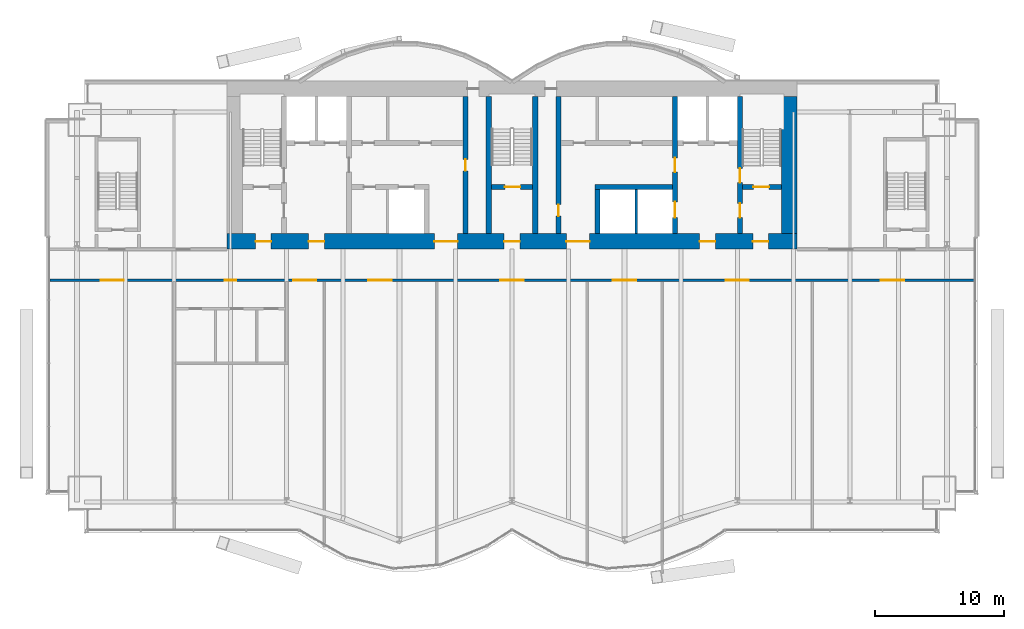
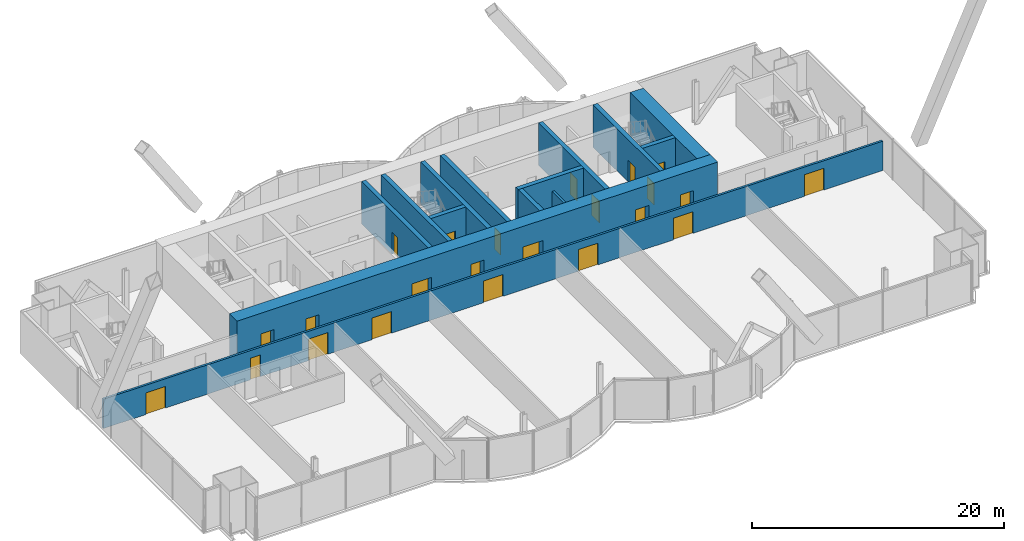
# One storey, part 19 of 24: 23 doors, 14 walls, 23 openings.
"""IFC4 building model written with IfcOpenShell, lengths in metres."""

from ifc_helpers import new_model, si_unit, direction, frame, frame_2d, origin, place, context, subcontext, project, spatial, rectangle, extrude, material, layer, layer_set, type_object, element, fill, save


model = new_model("IFC4")

# Units and contexts
model_context = context("Model", 3, precision=1e-05, world=origin(), true_north=direction((0.0, 1.0)))
body_context = subcontext(model_context, "Body", "Model", "MODEL_VIEW")
ifc_project = project(units=[si_unit("LENGTHUNIT", "METRE"), si_unit("AREAUNIT", "SQUARE_METRE"), si_unit("VOLUMEUNIT", "CUBIC_METRE"), si_unit("PLANEANGLEUNIT", "RADIAN"), si_unit("MASSUNIT", "GRAM", prefix="KILO")], contexts=[model_context])

# Site, building, storey
site_placement = place(None, origin())
site = spatial("IfcSite", under=ifc_project, at=site_placement, CompositionType="ELEMENT")
building_placement = place(site_placement, origin())
building = spatial("IfcBuilding", under=site, at=building_placement, Name="Bicima Exchange Tower", CompositionType="ELEMENT")
storey_placement = place(building_placement, frame((0.0, 0.0, 160.89990234375)))
storey = spatial("IfcBuildingStorey", under=building, at=storey_placement, Name="L35", CompositionType="ELEMENT", Elevation=160.89990234375)

# Wall
ifc_material_1 = material(Name="Gypsum board partition")
ifc_layer_1 = layer(ifc_material_1, 0.199951171875)
ifc_layer_set_1 = layer_set([ifc_layer_1], Name="Gypsum board partition")
wall_type_1 = type_object("IfcWallType", Name="Fire-rated gypsum partition 200 EI120", PredefinedType="PARTITIONING", material=ifc_layer_set_1)
wall_1_placement = place(storey_placement, frame((9.60009765625, -11.800048828125, 0.0), z_axis=(0.0, 0.0, 1.0), x_axis=(0.0, 1.0, 0.0)))
element("IfcWall", 1, at=wall_1_placement, inside=storey, type_object=wall_type_1, Name="partition wall 20", PredefinedType="PARTITIONING", context=body_context, shape_type="SweptSolid", body=[
    extrude(rectangle(XDim=3.400146484375, YDim=0.199951171875, at=frame_2d((1.7001953125, 0.0))), origin(), (0.0, 0.0, 1.0), 2.840576171875),
])

# Wall, openings, doors
ifc_layer_2 = layer(ifc_material_1, 0.199951171875)
ifc_layer_set_2 = layer_set([ifc_layer_2], Name="Gypsum board partition")
wall_type_2 = type_object("IfcWallType", Name="Fire-rated gypsum partition 200 EI60", PredefinedType="PARTITIONING", material=ifc_layer_set_2)
wall_2_placement = place(storey_placement, frame((-35.679931640625, -15.39990234375, 0.0), z_axis=(0.0, 0.0, 1.0), x_axis=(1.0, 0.0, 0.0)))
wall_2 = element("IfcWall", 2, at=wall_2_placement, inside=storey, type_object=wall_type_2, Name="partition wall 3", PredefinedType="PARTITIONING", context=body_context, shape_type="SweptSolid", body=[
    extrude(rectangle(XDim=71.35986328125, YDim=0.199951171875, at=frame_2d((35.679931640625, 0.0))), origin(), (0.0, 0.0, 1.0), 2.840576171875),
])
opening_1_placement = place(wall_2_placement, frame((3.89990234375, 0.0, 0.0)))
opening_1 = element("IfcOpeningElement", 3, at=opening_1_placement, cuts=wall_2, Name="Opening L35-007", PredefinedType="OPENING", context=body_context, shape_type="SweptSolid", body=[
    extrude(rectangle(XDim=1.800048828125, YDim=2.10009765625, at=frame_2d((0.89990234375, 1.050048828125))), frame((0.0, 0.11181640625, 0.0), z_axis=(0.0, -1.0, 0.0), x_axis=(1.0, 0.0, 0.0)), (0.0, 0.0, 1.0), 0.223876953125),
])
opening_2_placement = place(wall_2_placement, frame((13.47998046875, 0.0, 0.0)))
opening_2 = element("IfcOpeningElement", 4, at=opening_2_placement, cuts=wall_2, Name="Opening L35-008", PredefinedType="OPENING", context=body_context, shape_type="SweptSolid", body=[
    extrude(rectangle(XDim=0.89990234375, YDim=2.10009765625, at=frame_2d((0.449951171875, 1.050048828125))), frame((0.0, 0.11181640625, 0.0), z_axis=(0.0, -1.0, 0.0), x_axis=(1.0, 0.0, 0.0)), (0.0, 0.0, 1.0), 0.223876953125),
])
opening_3_placement = place(wall_2_placement, frame((18.780029296875, 0.0, 0.0)))
opening_3 = element("IfcOpeningElement", 5, at=opening_3_placement, cuts=wall_2, Name="Opening L35-012", PredefinedType="OPENING", context=body_context, shape_type="SweptSolid", body=[
    extrude(rectangle(XDim=1.800048828125, YDim=2.10009765625, at=frame_2d((0.89990234375, 1.050048828125))), frame((0.0, 0.11181640625, 0.0), z_axis=(0.0, -1.0, 0.0), x_axis=(1.0, 0.0, 0.0)), (0.0, 0.0, 1.0), 0.223876953125),
])
opening_4_placement = place(wall_2_placement, frame((24.580078125, 0.0, 0.0)))
opening_4 = element("IfcOpeningElement", 6, at=opening_4_placement, cuts=wall_2, Name="Opening L35-013", PredefinedType="OPENING", context=body_context, shape_type="SweptSolid", body=[
    extrude(rectangle(XDim=1.800048828125, YDim=2.10009765625, at=frame_2d((0.89990234375, 1.050048828125))), frame((0.0, 0.11181640625, 0.0), z_axis=(0.0, -1.0, 0.0), x_axis=(1.0, 0.0, 0.0)), (0.0, 0.0, 1.0), 0.223876953125),
])
opening_5_placement = place(wall_2_placement, frame((34.780029296875, 0.0, 0.0)))
opening_5 = element("IfcOpeningElement", 7, at=opening_5_placement, cuts=wall_2, Name="Opening L35-014", PredefinedType="OPENING", context=body_context, shape_type="SweptSolid", body=[
    extrude(rectangle(XDim=1.800048828125, YDim=2.10009765625, at=frame_2d((0.89990234375, 1.050048828125))), frame((0.0, 0.11181640625, 0.0), z_axis=(0.0, -1.0, 0.0), x_axis=(1.0, 0.0, 0.0)), (0.0, 0.0, 1.0), 0.223876953125),
])
opening_6_placement = place(wall_2_placement, frame((43.47998046875, 0.0, 0.0)))
opening_6 = element("IfcOpeningElement", 8, at=opening_6_placement, cuts=wall_2, Name="Opening L35-015", PredefinedType="OPENING", context=body_context, shape_type="SweptSolid", body=[
    extrude(rectangle(XDim=1.800048828125, YDim=2.10009765625, at=frame_2d((0.89990234375, 1.050048828125))), frame((0.0, 0.11181640625, 0.0), z_axis=(0.0, -1.0, 0.0), x_axis=(1.0, 0.0, 0.0)), (0.0, 0.0, 1.0), 0.223876953125),
])
opening_7_placement = place(wall_2_placement, frame((52.179931640625, 0.0, 0.0)))
opening_7 = element("IfcOpeningElement", 9, at=opening_7_placement, cuts=wall_2, Name="Opening L35-016", PredefinedType="OPENING", context=body_context, shape_type="SweptSolid", body=[
    extrude(rectangle(XDim=1.800048828125, YDim=2.10009765625, at=frame_2d((0.89990234375, 1.050048828125))), frame((0.0, 0.11181640625, 0.0), z_axis=(0.0, -1.0, 0.0), x_axis=(1.0, 0.0, 0.0)), (0.0, 0.0, 1.0), 0.223876953125),
])
opening_8_placement = place(wall_2_placement, frame((64.179931640625, 0.0, 0.0)))
opening_8 = element("IfcOpeningElement", 10, at=opening_8_placement, cuts=wall_2, Name="Opening L35-017", PredefinedType="OPENING", context=body_context, shape_type="SweptSolid", body=[
    extrude(rectangle(XDim=1.800048828125, YDim=2.10009765625, at=frame_2d((0.89990234375, 1.050048828125))), frame((0.0, 0.11181640625, 0.0), z_axis=(0.0, -1.0, 0.0), x_axis=(1.0, 0.0, 0.0)), (0.0, 0.0, 1.0), 0.223876953125),
])
ifc_material_2 = material(Name="Steel fire door leaf", Category="steel")
door_type_1 = type_object("IfcDoorType", Name="Door 1800 double swing FD30S", OperationType="DOUBLE_DOOR_SINGLE_SWING", PredefinedType="DOOR", material=ifc_material_2)
door_1_placement = place(opening_1_placement, origin())
door_1 = element("IfcDoor", 11, at=door_1_placement, inside=storey, type_object=door_type_1, Name="Door", OperationType="SINGLE_SWING_LEFT", OverallHeight=2.10009765625, OverallWidth=1.800048828125, PredefinedType="DOOR", context=body_context, shape_type="SweptSolid", body=[
    extrude(rectangle(XDim=1.800048828125, YDim=2.10009765625, at=frame_2d((0.89990234375, 1.050048828125))), frame((0.0, 0.02490234375, 0.0), z_axis=(0.0, -1.0, 0.0), x_axis=(1.0, 0.0, 0.0)), (0.0, 0.0, 1.0), 0.050048828125),
])
fill(opening_1, door_1)
door_2_placement = place(opening_3_placement, origin())
door_2 = element("IfcDoor", 12, at=door_2_placement, inside=storey, type_object=door_type_1, Name="Door", OperationType="SINGLE_SWING_LEFT", OverallHeight=2.10009765625, OverallWidth=1.800048828125, PredefinedType="DOOR", context=body_context, shape_type="SweptSolid", body=[
    extrude(rectangle(XDim=1.800048828125, YDim=2.10009765625, at=frame_2d((0.89990234375, 1.050048828125))), frame((0.0, 0.02490234375, 0.0), z_axis=(0.0, -1.0, 0.0), x_axis=(1.0, 0.0, 0.0)), (0.0, 0.0, 1.0), 0.050048828125),
])
fill(opening_3, door_2)
door_3_placement = place(opening_4_placement, origin())
door_3 = element("IfcDoor", 13, at=door_3_placement, inside=storey, type_object=door_type_1, Name="Door", OperationType="SINGLE_SWING_LEFT", OverallHeight=2.10009765625, OverallWidth=1.800048828125, PredefinedType="DOOR", context=body_context, shape_type="SweptSolid", body=[
    extrude(rectangle(XDim=1.800048828125, YDim=2.10009765625, at=frame_2d((0.89990234375, 1.050048828125))), frame((0.0, 0.02490234375, 0.0), z_axis=(0.0, -1.0, 0.0), x_axis=(1.0, 0.0, 0.0)), (0.0, 0.0, 1.0), 0.050048828125),
])
fill(opening_4, door_3)
door_4_placement = place(opening_5_placement, origin())
door_4 = element("IfcDoor", 14, at=door_4_placement, inside=storey, type_object=door_type_1, Name="Door", OperationType="SINGLE_SWING_LEFT", OverallHeight=2.10009765625, OverallWidth=1.800048828125, PredefinedType="DOOR", context=body_context, shape_type="SweptSolid", body=[
    extrude(rectangle(XDim=1.800048828125, YDim=2.10009765625, at=frame_2d((0.89990234375, 1.050048828125))), frame((0.0, 0.02490234375, 0.0), z_axis=(0.0, -1.0, 0.0), x_axis=(1.0, 0.0, 0.0)), (0.0, 0.0, 1.0), 0.050048828125),
])
fill(opening_5, door_4)
door_5_placement = place(opening_6_placement, origin())
door_5 = element("IfcDoor", 15, at=door_5_placement, inside=storey, type_object=door_type_1, Name="Door", OperationType="SINGLE_SWING_LEFT", OverallHeight=2.10009765625, OverallWidth=1.800048828125, PredefinedType="DOOR", context=body_context, shape_type="SweptSolid", body=[
    extrude(rectangle(XDim=1.800048828125, YDim=2.10009765625, at=frame_2d((0.89990234375, 1.050048828125))), frame((0.0, 0.02490234375, 0.0), z_axis=(0.0, -1.0, 0.0), x_axis=(1.0, 0.0, 0.0)), (0.0, 0.0, 1.0), 0.050048828125),
])
fill(opening_6, door_5)
door_6_placement = place(opening_7_placement, origin())
door_6 = element("IfcDoor", 16, at=door_6_placement, inside=storey, type_object=door_type_1, Name="Door", OperationType="SINGLE_SWING_LEFT", OverallHeight=2.10009765625, OverallWidth=1.800048828125, PredefinedType="DOOR", context=body_context, shape_type="SweptSolid", body=[
    extrude(rectangle(XDim=1.800048828125, YDim=2.10009765625, at=frame_2d((0.89990234375, 1.050048828125))), frame((0.0, 0.02490234375, 0.0), z_axis=(0.0, -1.0, 0.0), x_axis=(1.0, 0.0, 0.0)), (0.0, 0.0, 1.0), 0.050048828125),
])
fill(opening_7, door_6)
door_7_placement = place(opening_8_placement, origin())
door_7 = element("IfcDoor", 17, at=door_7_placement, inside=storey, type_object=door_type_1, Name="Door", OperationType="SINGLE_SWING_LEFT", OverallHeight=2.10009765625, OverallWidth=1.800048828125, PredefinedType="DOOR", context=body_context, shape_type="SweptSolid", body=[
    extrude(rectangle(XDim=1.800048828125, YDim=2.10009765625, at=frame_2d((0.89990234375, 1.050048828125))), frame((0.0, 0.02490234375, 0.0), z_axis=(0.0, -1.0, 0.0), x_axis=(1.0, 0.0, 0.0)), (0.0, 0.0, 1.0), 0.050048828125),
])
fill(opening_8, door_7)
door_type_2 = type_object("IfcDoorType", Name="Door 900 swing FD30S", OperationType="SINGLE_SWING_LEFT", PredefinedType="DOOR", material=ifc_material_2)
door_8_placement = place(opening_2_placement, frame((0.89990234375, 0.0, 0.0), z_axis=(0.0, 0.0, 1.0), x_axis=(-1.0, 0.0, 0.0)))
door_8 = element("IfcDoor", 18, at=door_8_placement, inside=storey, type_object=door_type_2, Name="Door", OperationType="SINGLE_SWING_RIGHT", OverallHeight=2.10009765625, OverallWidth=0.89990234375, PredefinedType="DOOR", context=body_context, shape_type="SweptSolid", body=[
    extrude(rectangle(XDim=0.89990234375, YDim=2.10009765625, at=frame_2d((0.449951171875, 1.050048828125))), frame((0.0, 0.02490234375, 0.0), z_axis=(0.0, -1.0, 0.0), x_axis=(1.0, 0.0, 0.0)), (0.0, 0.0, 1.0), 0.050048828125),
])
fill(opening_2, door_8)

ifc_material_3 = material(Name="Concrete C50/60", Category="concrete")
ifc_layer_3 = layer(ifc_material_3, 1.199951171875)
ifc_layer_set_3 = layer_set([ifc_layer_3], Name="Concrete C50/60")
wall_type_3 = type_object("IfcWallType", Name="RC core wall 1200 C50/60", PredefinedType="SHEAR", material=ifc_layer_set_3)
wall_3_placement = place(storey_placement, frame((-22.0, -12.39990234375, 0.0), z_axis=(0.0, 0.0, 1.0), x_axis=(1.0, 0.0, 0.0)))
wall_3 = element("IfcWall", 19, at=wall_3_placement, inside=storey, type_object=wall_type_3, Name="Core wall south", PredefinedType="SHEAR", context=body_context, shape_type="SweptSolid", body=[
    extrude(rectangle(XDim=44.0, YDim=1.199951171875, at=frame_2d((22.0, 0.0))), origin(), (0.0, 0.0, 1.0), 4.10009765625),
])
opening_9_placement = place(wall_3_placement, frame((2.199951171875, 0.0, 0.0)))
opening_9 = element("IfcOpeningElement", 20, at=opening_9_placement, cuts=wall_3, Name="Opening L35-C19", PredefinedType="OPENING", context=body_context, shape_type="SweptSolid", body=[
    extrude(rectangle(XDim=1.199951171875, YDim=2.10009765625, at=frame_2d((0.60009765625, 1.050048828125))), frame((0.0, 0.61181640625, 0.0), z_axis=(0.0, -1.0, 0.0), x_axis=(1.0, 0.0, 0.0)), (0.0, 0.0, 1.0), 1.223876953125),
])
opening_10_placement = place(wall_3_placement, frame((21.39990234375, 0.0, 0.0)))
opening_10 = element("IfcOpeningElement", 21, at=opening_10_placement, cuts=wall_3, Name="Opening L35-C20", PredefinedType="OPENING", context=body_context, shape_type="SweptSolid", body=[
    extrude(rectangle(XDim=1.199951171875, YDim=2.10009765625, at=frame_2d((0.60009765625, 1.050048828125))), frame((0.0, 0.61181640625, 0.0), z_axis=(0.0, -1.0, 0.0), x_axis=(1.0, 0.0, 0.0)), (0.0, 0.0, 1.0), 1.223876953125),
])
opening_11_placement = place(wall_3_placement, frame((40.60009765625, 0.0, 0.0)))
opening_11 = element("IfcOpeningElement", 22, at=opening_11_placement, cuts=wall_3, Name="Opening L35-C21", PredefinedType="OPENING", context=body_context, shape_type="SweptSolid", body=[
    extrude(rectangle(XDim=1.199951171875, YDim=2.10009765625, at=frame_2d((0.60009765625, 1.050048828125))), frame((0.0, 0.61181640625, 0.0), z_axis=(0.0, -1.0, 0.0), x_axis=(1.0, 0.0, 0.0)), (0.0, 0.0, 1.0), 1.223876953125),
])
opening_12_placement = place(wall_3_placement, frame((16.0, 0.0, 0.0)))
opening_12 = element("IfcOpeningElement", 23, at=opening_12_placement, cuts=wall_3, Name="Opening L35-C22", PredefinedType="OPENING", context=body_context, shape_type="SweptSolid", body=[
    extrude(rectangle(XDim=1.800048828125, YDim=2.10009765625, at=frame_2d((0.89990234375, 1.050048828125))), frame((0.0, 0.61181640625, 0.0), z_axis=(0.0, -1.0, 0.0), x_axis=(1.0, 0.0, 0.0)), (0.0, 0.0, 1.0), 1.223876953125),
])
opening_13_placement = place(wall_3_placement, frame((6.300048828125, 0.0, 0.0)))
opening_13 = element("IfcOpeningElement", 24, at=opening_13_placement, cuts=wall_3, Name="Opening L35-C23", PredefinedType="OPENING", context=body_context, shape_type="SweptSolid", body=[
    extrude(rectangle(XDim=1.199951171875, YDim=2.10009765625, at=frame_2d((0.60009765625, 1.050048828125))), frame((0.0, 0.61181640625, 0.0), z_axis=(0.0, -1.0, 0.0), x_axis=(1.0, 0.0, 0.0)), (0.0, 0.0, 1.0), 1.223876953125),
])
opening_14_placement = place(wall_3_placement, frame((26.199951171875, 0.0, 0.0)))
opening_14 = element("IfcOpeningElement", 25, at=opening_14_placement, cuts=wall_3, Name="Opening L35-C24", PredefinedType="OPENING", context=body_context, shape_type="SweptSolid", body=[
    extrude(rectangle(XDim=1.800048828125, YDim=2.10009765625, at=frame_2d((0.89990234375, 1.050048828125))), frame((0.0, 0.61181640625, 0.0), z_axis=(0.0, -1.0, 0.0), x_axis=(1.0, 0.0, 0.0)), (0.0, 0.0, 1.0), 1.223876953125),
])
opening_15_placement = place(wall_3_placement, frame((36.5, 0.0, 0.0)))
opening_15 = element("IfcOpeningElement", 26, at=opening_15_placement, cuts=wall_3, Name="Opening L35-C25", PredefinedType="OPENING", context=body_context, shape_type="SweptSolid", body=[
    extrude(rectangle(XDim=1.199951171875, YDim=2.10009765625, at=frame_2d((0.60009765625, 1.050048828125))), frame((0.0, 0.61181640625, 0.0), z_axis=(0.0, -1.0, 0.0), x_axis=(1.0, 0.0, 0.0)), (0.0, 0.0, 1.0), 1.223876953125),
])
door_type_3 = type_object("IfcDoorType", Name="Door 1200 swing FD60S", OperationType="SINGLE_SWING_LEFT", PredefinedType="DOOR", material=ifc_material_2)
door_9_placement = place(opening_9_placement, frame((1.199951171875, 0.0, 0.0), z_axis=(0.0, 0.0, 1.0), x_axis=(-1.0, 0.0, 0.0)))
door_9 = element("IfcDoor", 27, at=door_9_placement, inside=storey, type_object=door_type_3, Name="Core door", OperationType="SINGLE_SWING_RIGHT", OverallHeight=2.10009765625, OverallWidth=1.199951171875, PredefinedType="DOOR", context=body_context, shape_type="SweptSolid", body=[
    extrude(rectangle(XDim=1.199951171875, YDim=2.10009765625, at=frame_2d((0.60009765625, 1.050048828125))), frame((0.0, 0.02490234375, 0.0), z_axis=(0.0, -1.0, 0.0), x_axis=(1.0, 0.0, 0.0)), (0.0, 0.0, 1.0), 0.050048828125),
])
fill(opening_9, door_9)
door_10_placement = place(opening_10_placement, frame((1.199951171875, 0.0, 0.0), z_axis=(0.0, 0.0, 1.0), x_axis=(-1.0, 0.0, 0.0)))
door_10 = element("IfcDoor", 28, at=door_10_placement, inside=storey, type_object=door_type_3, Name="Core door", OperationType="SINGLE_SWING_RIGHT", OverallHeight=2.10009765625, OverallWidth=1.199951171875, PredefinedType="DOOR", context=body_context, shape_type="SweptSolid", body=[
    extrude(rectangle(XDim=1.199951171875, YDim=2.10009765625, at=frame_2d((0.60009765625, 1.050048828125))), frame((0.0, 0.02490234375, 0.0), z_axis=(0.0, -1.0, 0.0), x_axis=(1.0, 0.0, 0.0)), (0.0, 0.0, 1.0), 0.050048828125),
])
fill(opening_10, door_10)
door_11_placement = place(opening_11_placement, frame((1.199951171875, 0.0, 0.0), z_axis=(0.0, 0.0, 1.0), x_axis=(-1.0, 0.0, 0.0)))
door_11 = element("IfcDoor", 29, at=door_11_placement, inside=storey, type_object=door_type_3, Name="Core door", OperationType="SINGLE_SWING_RIGHT", OverallHeight=2.10009765625, OverallWidth=1.199951171875, PredefinedType="DOOR", context=body_context, shape_type="SweptSolid", body=[
    extrude(rectangle(XDim=1.199951171875, YDim=2.10009765625, at=frame_2d((0.60009765625, 1.050048828125))), frame((0.0, 0.02490234375, 0.0), z_axis=(0.0, -1.0, 0.0), x_axis=(1.0, 0.0, 0.0)), (0.0, 0.0, 1.0), 0.050048828125),
])
fill(opening_11, door_11)
door_12_placement = place(opening_13_placement, frame((1.199951171875, 0.0, 0.0), z_axis=(0.0, 0.0, 1.0), x_axis=(-1.0, 0.0, 0.0)))
door_12 = element("IfcDoor", 30, at=door_12_placement, inside=storey, type_object=door_type_3, Name="Core door", OperationType="SINGLE_SWING_RIGHT", OverallHeight=2.10009765625, OverallWidth=1.199951171875, PredefinedType="DOOR", context=body_context, shape_type="SweptSolid", body=[
    extrude(rectangle(XDim=1.199951171875, YDim=2.10009765625, at=frame_2d((0.60009765625, 1.050048828125))), frame((0.0, 0.02490234375, 0.0), z_axis=(0.0, -1.0, 0.0), x_axis=(1.0, 0.0, 0.0)), (0.0, 0.0, 1.0), 0.050048828125),
])
fill(opening_13, door_12)
door_13_placement = place(opening_15_placement, frame((1.199951171875, 0.0, 0.0), z_axis=(0.0, 0.0, 1.0), x_axis=(-1.0, 0.0, 0.0)))
door_13 = element("IfcDoor", 31, at=door_13_placement, inside=storey, type_object=door_type_3, Name="Core door", OperationType="SINGLE_SWING_RIGHT", OverallHeight=2.10009765625, OverallWidth=1.199951171875, PredefinedType="DOOR", context=body_context, shape_type="SweptSolid", body=[
    extrude(rectangle(XDim=1.199951171875, YDim=2.10009765625, at=frame_2d((0.60009765625, 1.050048828125))), frame((0.0, 0.02490234375, 0.0), z_axis=(0.0, -1.0, 0.0), x_axis=(1.0, 0.0, 0.0)), (0.0, 0.0, 1.0), 0.050048828125),
])
fill(opening_15, door_13)
door_14_placement = place(opening_12_placement, origin())
door_14 = element("IfcDoor", 32, at=door_14_placement, inside=storey, type_object=door_type_1, Name="Core door", OperationType="SINGLE_SWING_LEFT", OverallHeight=2.10009765625, OverallWidth=1.800048828125, PredefinedType="DOOR", context=body_context, shape_type="SweptSolid", body=[
    extrude(rectangle(XDim=1.800048828125, YDim=2.10009765625, at=frame_2d((0.89990234375, 1.050048828125))), frame((0.0, 0.02490234375, 0.0), z_axis=(0.0, -1.0, 0.0), x_axis=(1.0, 0.0, 0.0)), (0.0, 0.0, 1.0), 0.050048828125),
])
fill(opening_12, door_14)
door_15_placement = place(opening_14_placement, origin())
door_15 = element("IfcDoor", 33, at=door_15_placement, inside=storey, type_object=door_type_1, Name="Core door", OperationType="SINGLE_SWING_LEFT", OverallHeight=2.10009765625, OverallWidth=1.800048828125, PredefinedType="DOOR", context=body_context, shape_type="SweptSolid", body=[
    extrude(rectangle(XDim=1.800048828125, YDim=2.10009765625, at=frame_2d((0.89990234375, 1.050048828125))), frame((0.0, 0.02490234375, 0.0), z_axis=(0.0, -1.0, 0.0), x_axis=(1.0, 0.0, 0.0)), (0.0, 0.0, 1.0), 0.050048828125),
])
fill(opening_14, door_15)

# Wall
wall_4_placement = place(storey_placement, frame((21.39990234375, -11.800048828125, 0.0), z_axis=(0.0, 0.0, 1.0), x_axis=(0.0, 1.0, 0.0)))
element("IfcWall", 34, at=wall_4_placement, inside=storey, type_object=wall_type_3, Name="Core wall east", PredefinedType="SHEAR", context=body_context, shape_type="SweptSolid", body=[
    extrude(rectangle(XDim=10.60009765625, YDim=1.199951171875, at=frame_2d((5.300048828125, 0.0))), origin(), (0.0, 0.0, 1.0), 4.10009765625),
])

# Wall, opening, door
ifc_layer_4 = layer(ifc_material_3, 0.39990234375)
ifc_layer_set_4 = layer_set([ifc_layer_4], Name="Concrete C50/60")
wall_type_4 = type_object("IfcWallType", Name="RC core wall 400 C50/60", PredefinedType="SHEAR", material=ifc_layer_set_4)
wall_5_placement = place(storey_placement, frame((-1.60009765625, -8.199951171875, 0.0), z_axis=(0.0, 0.0, 1.0), x_axis=(1.0, 0.0, 0.0)))
wall_5 = element("IfcWall", 35, at=wall_5_placement, inside=storey, type_object=wall_type_4, Name="stair wall 3", PredefinedType="SHEAR", context=body_context, shape_type="SweptSolid", body=[
    extrude(rectangle(XDim=3.2001953125, YDim=0.39990234375, at=frame_2d((1.60009765625, 0.0))), origin(), (0.0, 0.0, 1.0), 4.10009765625),
])
opening_16_placement = place(wall_5_placement, frame((1.050048828125, 0.0, 0.0)))
opening_16 = element("IfcOpeningElement", 36, at=opening_16_placement, cuts=wall_5, Name="Opening L35-C03", PredefinedType="OPENING", context=body_context, shape_type="SweptSolid", body=[
    extrude(rectangle(XDim=1.199951171875, YDim=2.10009765625, at=frame_2d((0.60009765625, 1.050048828125))), frame((0.0, 0.2119140625, 0.0), z_axis=(0.0, -1.0, 0.0), x_axis=(1.0, 0.0, 0.0)), (0.0, 0.0, 1.0), 0.423828125),
])
door_16_placement = place(opening_16_placement, origin())
door_16 = element("IfcDoor", 37, at=door_16_placement, inside=storey, type_object=door_type_3, Name="Core door", OperationType="SINGLE_SWING_LEFT", OverallHeight=2.10009765625, OverallWidth=1.199951171875, PredefinedType="DOOR", context=body_context, shape_type="SweptSolid", body=[
    extrude(rectangle(XDim=1.199951171875, YDim=2.10009765625, at=frame_2d((0.60009765625, 1.050048828125))), frame((0.0, 0.02490234375, 0.0), z_axis=(0.0, -1.0, 0.0), x_axis=(1.0, 0.0, 0.0)), (0.0, 0.0, 1.0), 0.050048828125),
])
fill(opening_16, door_16)

# Wall
wall_6_placement = place(storey_placement, frame((6.39990234375, -8.199951171875, 0.0), z_axis=(0.0, 0.0, 1.0), x_axis=(1.0, 0.0, 0.0)))
element("IfcWall", 38, at=wall_6_placement, inside=storey, type_object=wall_type_4, Name="shear wall 4", PredefinedType="SHEAR", context=body_context, shape_type="SweptSolid", body=[
    extrude(rectangle(XDim=6.0, YDim=0.39990234375, at=frame_2d((3.0, 0.0))), origin(), (0.0, 0.0, 1.0), 4.10009765625),
])

# Wall, opening, door
wall_7_placement = place(storey_placement, frame((17.800048828125, -8.199951171875, 0.0), z_axis=(0.0, 0.0, 1.0), x_axis=(1.0, 0.0, 0.0)))
wall_7 = element("IfcWall", 39, at=wall_7_placement, inside=storey, type_object=wall_type_4, Name="stair wall 5", PredefinedType="SHEAR", context=body_context, shape_type="SweptSolid", body=[
    extrude(rectangle(XDim=3.0, YDim=0.39990234375, at=frame_2d((1.5, 0.0))), origin(), (0.0, 0.0, 1.0), 4.10009765625),
])
opening_17_placement = place(wall_7_placement, frame((0.85009765625, 0.0, 0.0)))
opening_17 = element("IfcOpeningElement", 40, at=opening_17_placement, cuts=wall_7, Name="Opening L35-C04", PredefinedType="OPENING", context=body_context, shape_type="SweptSolid", body=[
    extrude(rectangle(XDim=1.199951171875, YDim=2.10009765625, at=frame_2d((0.60009765625, 1.050048828125))), frame((0.0, 0.2119140625, 0.0), z_axis=(0.0, -1.0, 0.0), x_axis=(1.0, 0.0, 0.0)), (0.0, 0.0, 1.0), 0.423828125),
])
door_17_placement = place(opening_17_placement, origin())
door_17 = element("IfcDoor", 41, at=door_17_placement, inside=storey, type_object=door_type_3, Name="Core door", OperationType="SINGLE_SWING_RIGHT", OverallHeight=2.10009765625, OverallWidth=1.199951171875, PredefinedType="DOOR", context=body_context, shape_type="SweptSolid", body=[
    extrude(rectangle(XDim=1.199951171875, YDim=2.10009765625, at=frame_2d((0.60009765625, 1.050048828125))), frame((0.0, 0.02490234375, 0.0), z_axis=(0.0, -1.0, 0.0), x_axis=(1.0, 0.0, 0.0)), (0.0, 0.0, 1.0), 0.050048828125),
])
fill(opening_17, door_17)

wall_8_placement = place(storey_placement, frame((-3.60009765625, -11.800048828125, 0.0), z_axis=(0.0, 0.0, 1.0), x_axis=(0.0, 1.0, 0.0)))
wall_8 = element("IfcWall", 42, at=wall_8_placement, inside=storey, type_object=wall_type_4, Name="shear wall 14", PredefinedType="SHEAR", context=body_context, shape_type="SweptSolid", body=[
    extrude(rectangle(XDim=10.60009765625, YDim=0.39990234375, at=frame_2d((5.300048828125, 0.0))), origin(), (0.0, 0.0, 1.0), 4.10009765625),
])
opening_18_placement = place(wall_8_placement, frame((4.85009765625, 0.0, 0.0)))
opening_18 = element("IfcOpeningElement", 43, at=opening_18_placement, cuts=wall_8, Name="Opening L35-C10", PredefinedType="OPENING", context=body_context, shape_type="SweptSolid", body=[
    extrude(rectangle(XDim=0.89990234375, YDim=2.10009765625, at=frame_2d((0.449951171875, 1.050048828125))), frame((0.0, 0.2119140625, 0.0), z_axis=(0.0, -1.0, 0.0), x_axis=(1.0, 0.0, 0.0)), (0.0, 0.0, 1.0), 0.423828125),
])
door_18_placement = place(opening_18_placement, frame((0.89990234375, 0.0, 0.0), z_axis=(0.0, 0.0, 1.0), x_axis=(-1.0, 0.0, 0.0)))
door_18 = element("IfcDoor", 44, at=door_18_placement, inside=storey, type_object=door_type_2, Name="Core door", OperationType="SINGLE_SWING_LEFT", OverallHeight=2.10009765625, OverallWidth=0.89990234375, PredefinedType="DOOR", context=body_context, shape_type="SweptSolid", body=[
    extrude(rectangle(XDim=0.89990234375, YDim=2.10009765625, at=frame_2d((0.449951171875, 1.050048828125))), frame((0.0, 0.02490234375, 0.0), z_axis=(0.0, -1.0, 0.0), x_axis=(1.0, 0.0, 0.0)), (0.0, 0.0, 1.0), 0.050048828125),
])
fill(opening_18, door_18)

# Walls
for number, where, z_axis, x_axis, name in (
    (45, (-1.800048828125, -11.800048828125, 0.0), (0.0, 0.0, 1.0), (0.0, 1.0, 0.0), "stair wall 15"),
    (46, (1.800048828125, -11.800048828125, 0.0), (0.0, 0.0, 1.0), (0.0, 1.0, 0.0), "stair wall 16"),
):
    element("IfcWall", number, at=place(storey_placement, frame(where, z_axis=z_axis, x_axis=x_axis)), inside=storey, type_object=wall_type_4, Name=name, PredefinedType="SHEAR", context=body_context, shape_type="SweptSolid", body=[
        extrude(rectangle(XDim=10.60009765625, YDim=0.39990234375, at=frame_2d((5.300048828125, 0.0))), origin(), (0.0, 0.0, 1.0), 4.10009765625),
    ])

# Wall, opening, door
wall_9_placement = place(storey_placement, frame((3.60009765625, -11.800048828125, 0.0), z_axis=(0.0, 0.0, 1.0), x_axis=(0.0, 1.0, 0.0)))
wall_9 = element("IfcWall", 47, at=wall_9_placement, inside=storey, type_object=wall_type_4, Name="shear wall 17", PredefinedType="SHEAR", context=body_context, shape_type="SweptSolid", body=[
    extrude(rectangle(XDim=10.60009765625, YDim=0.39990234375, at=frame_2d((5.300048828125, 0.0))), origin(), (0.0, 0.0, 1.0), 4.10009765625),
])
opening_19_placement = place(wall_9_placement, frame((1.35009765625, 0.0, 0.0)))
opening_19 = element("IfcOpeningElement", 48, at=opening_19_placement, cuts=wall_9, Name="Opening L35-C11", PredefinedType="OPENING", context=body_context, shape_type="SweptSolid", body=[
    extrude(rectangle(XDim=0.89990234375, YDim=2.10009765625, at=frame_2d((0.449951171875, 1.050048828125))), frame((0.0, 0.2119140625, 0.0), z_axis=(0.0, -1.0, 0.0), x_axis=(1.0, 0.0, 0.0)), (0.0, 0.0, 1.0), 0.423828125),
])
door_19_placement = place(opening_19_placement, origin())
door_19 = element("IfcDoor", 49, at=door_19_placement, inside=storey, type_object=door_type_2, Name="Core door", OperationType="SINGLE_SWING_LEFT", OverallHeight=2.10009765625, OverallWidth=0.89990234375, PredefinedType="DOOR", context=body_context, shape_type="SweptSolid", body=[
    extrude(rectangle(XDim=0.89990234375, YDim=2.10009765625, at=frame_2d((0.449951171875, 1.050048828125))), frame((0.0, 0.02490234375, 0.0), z_axis=(0.0, -1.0, 0.0), x_axis=(1.0, 0.0, 0.0)), (0.0, 0.0, 1.0), 0.050048828125),
])
fill(opening_19, door_19)

# Wall
wall_10_placement = place(storey_placement, frame((6.60009765625, -11.800048828125, 0.0), z_axis=(0.0, 0.0, 1.0), x_axis=(0.0, 1.0, 0.0)))
element("IfcWall", 50, at=wall_10_placement, inside=storey, type_object=wall_type_4, Name="shear wall 18", PredefinedType="SHEAR", context=body_context, shape_type="SweptSolid", body=[
    extrude(rectangle(XDim=3.400146484375, YDim=0.39990234375, at=frame_2d((1.7001953125, 0.0))), origin(), (0.0, 0.0, 1.0), 4.10009765625),
])

# Wall, openings, doors
wall_11_placement = place(storey_placement, frame((12.60009765625, -11.800048828125, 0.0), z_axis=(0.0, 0.0, 1.0), x_axis=(0.0, 1.0, 0.0)))
wall_11 = element("IfcWall", 51, at=wall_11_placement, inside=storey, type_object=wall_type_4, Name="shear wall 21", PredefinedType="SHEAR", context=body_context, shape_type="SweptSolid", body=[
    extrude(rectangle(XDim=10.60009765625, YDim=0.39990234375, at=frame_2d((5.300048828125, 0.0))), origin(), (0.0, 0.0, 1.0), 4.10009765625),
])
opening_20_placement = place(wall_11_placement, frame((1.25, 0.0, 0.0)))
opening_20 = element("IfcOpeningElement", 52, at=opening_20_placement, cuts=wall_11, Name="Opening LD-MB2-L35", PredefinedType="OPENING", context=body_context, shape_type="SweptSolid", body=[
    extrude(rectangle(XDim=1.199951171875, YDim=2.10009765625, at=frame_2d((0.60009765625, 1.050048828125))), frame((0.0, 0.2119140625, 0.0), z_axis=(0.0, -1.0, 0.0), x_axis=(1.0, 0.0, 0.0)), (0.0, 0.0, 1.0), 0.423828125),
])
opening_21_placement = place(wall_11_placement, frame((4.75, 0.0, 0.0)))
opening_21 = element("IfcOpeningElement", 53, at=opening_21_placement, cuts=wall_11, Name="Opening L35-C09", PredefinedType="OPENING", context=body_context, shape_type="SweptSolid", body=[
    extrude(rectangle(XDim=1.10009765625, YDim=2.10009765625, at=frame_2d((0.550048828125, 1.050048828125))), frame((0.0, 0.2119140625, 0.0), z_axis=(0.0, -1.0, 0.0), x_axis=(1.0, 0.0, 0.0)), (0.0, 0.0, 1.0), 0.423828125),
])
door_type_4 = type_object("IfcDoorType", Name="Door 1100 swing FD60S", OperationType="SINGLE_SWING_LEFT", PredefinedType="DOOR", material=ifc_material_2)
door_20_placement = place(opening_21_placement, frame((1.10009765625, 0.0, 0.0), z_axis=(0.0, 0.0, 1.0), x_axis=(-1.0, 0.0, 0.0)))
door_20 = element("IfcDoor", 54, at=door_20_placement, inside=storey, type_object=door_type_4, Name="Core door", OperationType="SINGLE_SWING_RIGHT", OverallHeight=2.10009765625, OverallWidth=1.10009765625, PredefinedType="DOOR", context=body_context, shape_type="SweptSolid", body=[
    extrude(rectangle(XDim=1.10009765625, YDim=2.10009765625, at=frame_2d((0.550048828125, 1.050048828125))), frame((0.0, 0.02490234375, 0.0), z_axis=(0.0, -1.0, 0.0), x_axis=(1.0, 0.0, 0.0)), (0.0, 0.0, 1.0), 0.050048828125),
])
fill(opening_21, door_20)
ifc_material_4 = material(Name="Stainless steel", Category="steel")
door_type_5 = type_object("IfcDoorType", Name="Lift landing door 1200 sliding", OperationType="DOUBLE_DOOR_SLIDING", PredefinedType="DOOR", material=ifc_material_4)
door_21_placement = place(opening_20_placement, origin())
door_21 = element("IfcDoor", 55, at=door_21_placement, inside=storey, type_object=door_type_5, Name="Lift landing door MB2", OperationType="DOUBLE_DOOR_SLIDING", OverallHeight=2.10009765625, OverallWidth=1.199951171875, PredefinedType="DOOR", context=body_context, shape_type="SweptSolid", body=[
    extrude(rectangle(XDim=1.199951171875, YDim=2.10009765625, at=frame_2d((0.60009765625, 1.050048828125))), frame((0.0, 0.02490234375, 0.0), z_axis=(0.0, -1.0, 0.0), x_axis=(1.0, 0.0, 0.0)), (0.0, 0.0, 1.0), 0.050048828125),
])
fill(opening_20, door_21)

wall_12_placement = place(storey_placement, frame((17.60009765625, -11.800048828125, 0.0), z_axis=(0.0, 0.0, 1.0), x_axis=(0.0, 1.0, 0.0)))
wall_12 = element("IfcWall", 56, at=wall_12_placement, inside=storey, type_object=wall_type_4, Name="stair wall 23", PredefinedType="SHEAR", context=body_context, shape_type="SweptSolid", body=[
    extrude(rectangle(XDim=10.60009765625, YDim=0.39990234375, at=frame_2d((5.300048828125, 0.0))), origin(), (0.0, 0.0, 1.0), 4.10009765625),
])
opening_22_placement = place(wall_12_placement, frame((1.25, 0.0, 0.0)))
opening_22 = element("IfcOpeningElement", 57, at=opening_22_placement, cuts=wall_12, Name="Opening L35-C05", PredefinedType="OPENING", context=body_context, shape_type="SweptSolid", body=[
    extrude(rectangle(XDim=1.10009765625, YDim=2.10009765625, at=frame_2d((0.550048828125, 1.050048828125))), frame((0.0, 0.2119140625, 0.0), z_axis=(0.0, -1.0, 0.0), x_axis=(1.0, 0.0, 0.0)), (0.0, 0.0, 1.0), 0.423828125),
])
opening_23_placement = place(wall_12_placement, frame((3.949951171875, 0.0, 0.0)))
opening_23 = element("IfcOpeningElement", 58, at=opening_23_placement, cuts=wall_12, Name="Opening L35-C08", PredefinedType="OPENING", context=body_context, shape_type="SweptSolid", body=[
    extrude(rectangle(XDim=1.10009765625, YDim=2.10009765625, at=frame_2d((0.550048828125, 1.050048828125))), frame((0.0, 0.2119140625, 0.0), z_axis=(0.0, -1.0, 0.0), x_axis=(1.0, 0.0, 0.0)), (0.0, 0.0, 1.0), 0.423828125),
])
door_22_placement = place(opening_22_placement, origin())
door_22 = element("IfcDoor", 59, at=door_22_placement, inside=storey, type_object=door_type_4, Name="Core door", OperationType="SINGLE_SWING_LEFT", OverallHeight=2.10009765625, OverallWidth=1.10009765625, PredefinedType="DOOR", context=body_context, shape_type="SweptSolid", body=[
    extrude(rectangle(XDim=1.10009765625, YDim=2.10009765625, at=frame_2d((0.550048828125, 1.050048828125))), frame((0.0, 0.02490234375, 0.0), z_axis=(0.0, -1.0, 0.0), x_axis=(1.0, 0.0, 0.0)), (0.0, 0.0, 1.0), 0.050048828125),
])
fill(opening_22, door_22)
door_23_placement = place(opening_23_placement, origin())
door_23 = element("IfcDoor", 60, at=door_23_placement, inside=storey, type_object=door_type_4, Name="Core door", OperationType="SINGLE_SWING_RIGHT", OverallHeight=2.10009765625, OverallWidth=1.10009765625, PredefinedType="DOOR", context=body_context, shape_type="SweptSolid", body=[
    extrude(rectangle(XDim=1.10009765625, YDim=2.10009765625, at=frame_2d((0.550048828125, 1.050048828125))), frame((0.0, 0.02490234375, 0.0), z_axis=(0.0, -1.0, 0.0), x_axis=(1.0, 0.0, 0.0)), (0.0, 0.0, 1.0), 0.050048828125),
])
fill(opening_23, door_23)

save(model, "model.ifc")
